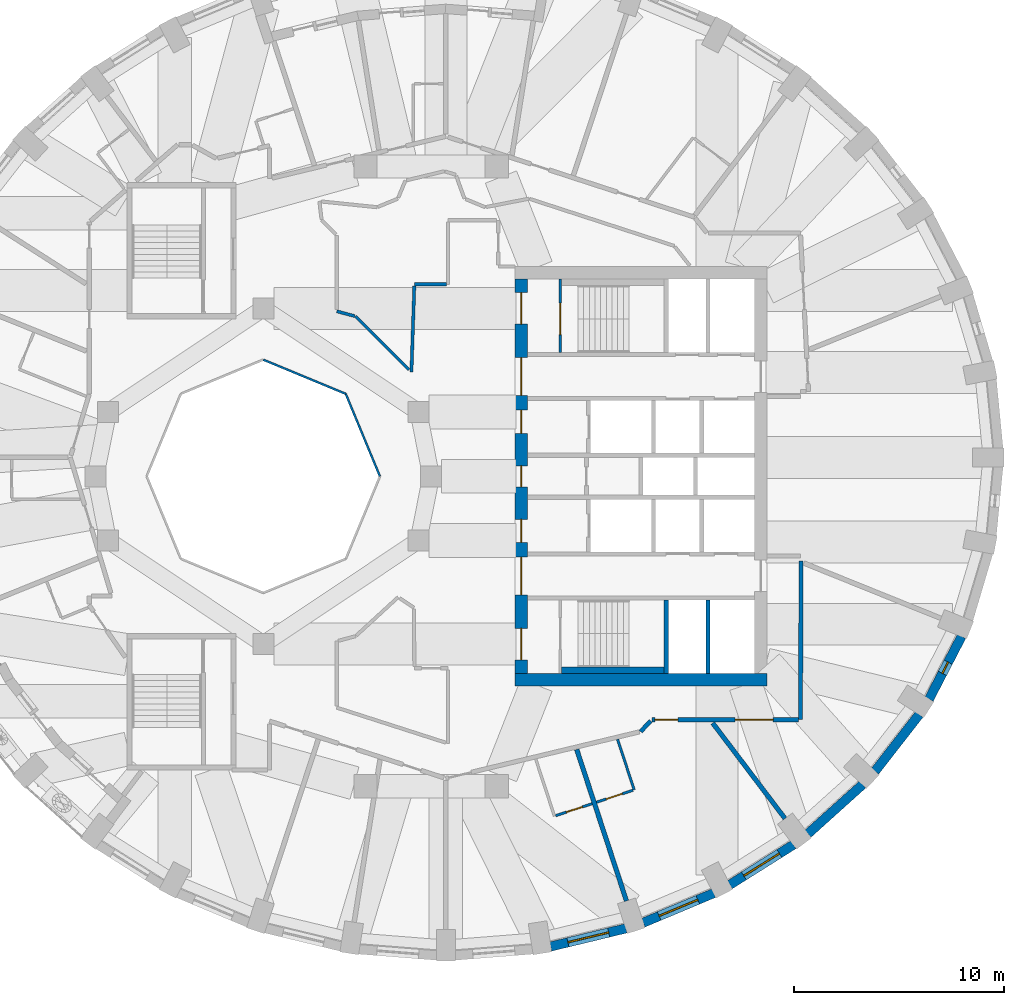
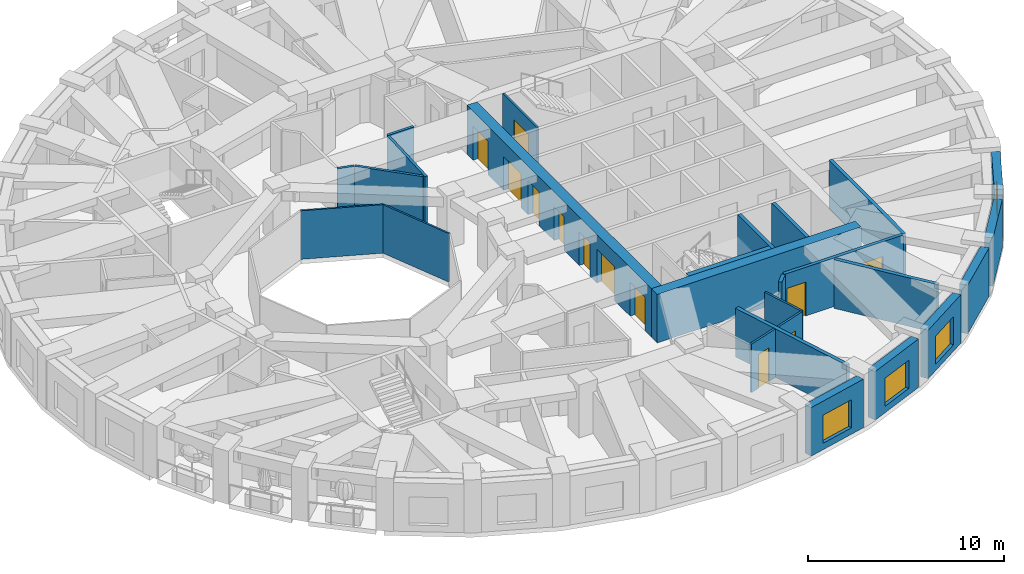
# One storey, part 5 of 12: 26 walls, 12 doors, 4 windows, 16 openings.
"""IFC4 building model written with IfcOpenShell, lengths in metres."""

from ifc_helpers import new_model, si_unit, direction, frame, frame_2d, origin, place, context, subcontext, project, spatial, rectangle, extrude, material, layer, layer_set, type_object, element, fill, save


model = new_model("IFC4")

# Units and contexts
model_context = context("Model", 3, precision=1e-05, world=origin(), true_north=direction((0.0, 1.0)))
body_context = subcontext(model_context, "Body", "Model", "MODEL_VIEW")
ifc_project = project(units=[si_unit("LENGTHUNIT", "METRE"), si_unit("AREAUNIT", "SQUARE_METRE"), si_unit("VOLUMEUNIT", "CUBIC_METRE"), si_unit("PLANEANGLEUNIT", "RADIAN"), si_unit("MASSUNIT", "GRAM", prefix="KILO")], contexts=[model_context])

# Site, building, storey
site_placement = place(None, origin())
site = spatial("IfcSite", under=ifc_project, at=site_placement, CompositionType="ELEMENT")
building_placement = place(site_placement, origin())
building = spatial("IfcBuilding", under=site, at=building_placement, Name="Taillehof Tower", CompositionType="ELEMENT")
storey_placement = place(building_placement, frame((0.0, 0.0, 218.89990234375)))
storey = spatial("IfcBuildingStorey", under=building, at=storey_placement, Name="L62", CompositionType="ELEMENT", Elevation=218.89990234375)

# Walls
ifc_material_1 = material(Name="Fire-resisting glass in steel frame", Category="steel")
ifc_layer_1 = layer(ifc_material_1, 0.10009765625)
ifc_layer_set_1 = layer_set([ifc_layer_1], Name="Atrium fire-resisting screen EI 60 100")
wall_type_1 = type_object("IfcWallType", Name="Atrium fire-resisting screen EI 60 100", PredefinedType="PARTITIONING", material=ifc_layer_set_1)
for number, where, z_axis, x_axis, name in (
    (1, (-8.0, 5.55419921875, 0.0), (0.0, 0.0, 1.0), (0.923860025149, -0.382730523909, 0.0), "Atrium screen"),
    (2, (-4.07275390625, 3.92724609375, 0.0), (0.0, 0.0, 1.0), (0.382730523909, -0.923860025149, 0.0), "Atrium screen"),
):
    element("IfcWall", number, at=place(storey_placement, frame(where, z_axis=z_axis, x_axis=x_axis)), inside=storey, type_object=wall_type_1, Name=name, PredefinedType="PARTITIONING", context=body_context, shape_type="SweptSolid", body=[
        extrude(rectangle(XDim=4.2509765625, YDim=0.10009765625, at=frame_2d((2.12548828125, 0.0))), origin(), (0.0, 0.0, 1.0), 3.02001953125),
    ])

# Wall, opening, window
ifc_material_2 = material(Name="Brick masonry", Category="masonry")
ifc_layer_2 = layer(ifc_material_2, 0.449951171875)
ifc_layer_set_2 = layer_set([ifc_layer_2], Name="Brick infill wall 450")
wall_type_2 = type_object("IfcWallType", Name="Brick infill wall 450", PredefinedType="SOLIDWALL", material=ifc_layer_set_2)
wall_1_placement = place(storey_placement, frame((5.690673828125, -22.41357421875, 0.0), z_axis=(0.0, 0.0, 1.0), x_axis=(0.9721584944, 0.234324266275, 0.0)))
wall_1 = element("IfcWall", 3, at=wall_1_placement, inside=storey, type_object=wall_type_2, Name="Brick wall L62 bay 29", PredefinedType="SOLIDWALL", context=body_context, shape_type="SweptSolid", body=[
    extrude(rectangle(XDim=3.69775390625, YDim=0.449951171875, at=frame_2d((1.848876953125, 0.0))), origin(), (0.0, 0.0, 1.0), 3.02001953125),
])
opening_1_placement = place(wall_1_placement, frame((0.848876953125, 0.0, 0.39990234375)))
opening_1 = element("IfcOpeningElement", 4, at=opening_1_placement, cuts=wall_1, Name="Opening W2", PredefinedType="OPENING", context=body_context, shape_type="SweptSolid", body=[
    extrude(rectangle(XDim=2.0, YDim=1.75, at=frame_2d((1.0, 0.875))), frame((0.0, 0.23486328125, 0.0), z_axis=(0.0, -1.0, 0.0), x_axis=(1.0, 0.0, 0.0)), (0.0, 0.0, 1.0), 0.469970703125),
])
ifc_material_3 = material(Name="Aluminium window frame with clear double glazing", Category="aluminium")
window_type_1 = type_object("IfcWindowType", Name="Deep-set window 2000x1750", PartitioningType="SINGLE_PANEL", PredefinedType="WINDOW", material=ifc_material_3)
window_1_placement = place(opening_1_placement, origin())
window_1 = element("IfcWindow", 5, at=window_1_placement, inside=storey, type_object=window_type_1, Name="W2", OverallHeight=1.75, OverallWidth=2.0, PartitioningType="SINGLE_PANEL", PredefinedType="WINDOW", context=body_context, shape_type="SweptSolid", body=[
    extrude(rectangle(XDim=2.0, YDim=1.75, at=frame_2d((1.0, 0.875))), frame((0.0, 0.034912109375, 0.0), z_axis=(0.0, -1.0, 0.0), x_axis=(1.0, 0.0, 0.0)), (0.0, 0.0, 1.0), 0.06005859375),
])
fill(opening_1, window_1)

wall_2_placement = place(storey_placement, frame((10.1025390625, -21.279052734375, 0.0), z_axis=(0.0, 0.0, 1.0), x_axis=(0.922168222612, 0.386789050006, 0.0)))
wall_2 = element("IfcWall", 6, at=wall_2_placement, inside=storey, type_object=wall_type_2, Name="Brick wall L62 bay 30", PredefinedType="SOLIDWALL", context=body_context, shape_type="SweptSolid", body=[
    extrude(rectangle(XDim=3.65087890625, YDim=0.449951171875, at=frame_2d((1.825439453125, 0.0))), origin(), (0.0, 0.0, 1.0), 3.02001953125),
])
opening_2_placement = place(wall_2_placement, frame((0.825439453125, 0.0, 0.39990234375)))
opening_2 = element("IfcOpeningElement", 7, at=opening_2_placement, cuts=wall_2, Name="Opening W2", PredefinedType="OPENING", context=body_context, shape_type="SweptSolid", body=[
    extrude(rectangle(XDim=2.0, YDim=1.75, at=frame_2d((1.0, 0.875))), frame((0.0, 0.23486328125, 0.0), z_axis=(0.0, -1.0, 0.0), x_axis=(1.0, 0.0, 0.0)), (0.0, 0.0, 1.0), 0.469970703125),
])
window_2_placement = place(opening_2_placement, origin())
window_2 = element("IfcWindow", 8, at=window_2_placement, inside=storey, type_object=window_type_1, Name="W2", OverallHeight=1.75, OverallWidth=2.0, PartitioningType="SINGLE_PANEL", PredefinedType="WINDOW", context=body_context, shape_type="SweptSolid", body=[
    extrude(rectangle(XDim=2.0, YDim=1.75, at=frame_2d((1.0, 0.875))), frame((0.0, 0.034912109375, 0.0), z_axis=(0.0, -1.0, 0.0), x_axis=(1.0, 0.0, 0.0)), (0.0, 0.0, 1.0), 0.06005859375),
])
fill(opening_2, window_2)

wall_3_placement = place(storey_placement, frame((14.232421875, -19.469970703125, 0.0), z_axis=(0.0, 0.0, 1.0), x_axis=(0.84614984472, 0.532945063098, 0.0)))
wall_3 = element("IfcWall", 9, at=wall_3_placement, inside=storey, type_object=wall_type_2, Name="Brick wall L62 bay 31", PredefinedType="SOLIDWALL", context=body_context, shape_type="SweptSolid", body=[
    extrude(rectangle(XDim=3.58642578125, YDim=0.449951171875, at=frame_2d((1.793212890625, 0.0))), origin(), (0.0, 0.0, 1.0), 3.02001953125),
])
opening_3_placement = place(wall_3_placement, frame((0.79345703125, 0.0, 0.39990234375)))
opening_3 = element("IfcOpeningElement", 10, at=opening_3_placement, cuts=wall_3, Name="Opening W2", PredefinedType="OPENING", context=body_context, shape_type="SweptSolid", body=[
    extrude(rectangle(XDim=2.0, YDim=1.75, at=frame_2d((1.0, 0.875))), frame((0.0, 0.23486328125, 0.0), z_axis=(0.0, -1.0, 0.0), x_axis=(1.0, 0.0, 0.0)), (0.0, 0.0, 1.0), 0.469970703125),
])
window_3_placement = place(opening_3_placement, origin())
window_3 = element("IfcWindow", 11, at=window_3_placement, inside=storey, type_object=window_type_1, Name="W2", OverallHeight=1.75, OverallWidth=2.0, PartitioningType="SINGLE_PANEL", PredefinedType="WINDOW", context=body_context, shape_type="SweptSolid", body=[
    extrude(rectangle(XDim=2.0, YDim=1.75, at=frame_2d((1.0, 0.875))), frame((0.0, 0.034912109375, 0.0), z_axis=(0.0, -1.0, 0.0), x_axis=(1.0, 0.0, 0.0)), (0.0, 0.0, 1.0), 0.06005859375),
])
fill(opening_3, window_3)

# Walls
wall_4_placement = place(storey_placement, frame((17.953369140625, -17.039794921875, 0.0), z_axis=(0.0, 0.0, 1.0), x_axis=(0.743442727602, 0.668799604348, 0.0)))
element("IfcWall", 12, at=wall_4_placement, inside=storey, type_object=wall_type_2, Name="Brick wall L62 bay 32", PredefinedType="SOLIDWALL", context=body_context, shape_type="SweptSolid", body=[
    extrude(rectangle(XDim=3.5126953125, YDim=0.449951171875, at=frame_2d((1.75634765625, 0.0))), origin(), (0.0, 0.0, 1.0), 3.02001953125),
])
wall_5_placement = place(storey_placement, frame((21.1513671875, -14.06103515625, 0.0), z_axis=(0.0, 0.0, 1.0), x_axis=(0.614255239631, 0.789107407509, 0.0)))
element("IfcWall", 13, at=wall_5_placement, inside=storey, type_object=wall_type_2, Name="Brick wall L62 bay 33", PredefinedType="SOLIDWALL", context=body_context, shape_type="SweptSolid", body=[
    extrude(rectangle(XDim=3.4375, YDim=0.449951171875, at=frame_2d((1.71875, 0.0))), origin(), (0.0, 0.0, 1.0), 3.02001953125),
])

# Wall, opening, window
wall_6_placement = place(storey_placement, frame((23.72705078125, -10.6240234375, 0.0), z_axis=(0.0, 0.0, 1.0), x_axis=(0.460175500475, 0.887827972505, 0.0)))
wall_6 = element("IfcWall", 14, at=wall_6_placement, inside=storey, type_object=wall_type_2, Name="Brick wall L62 bay 34", PredefinedType="SOLIDWALL", context=body_context, shape_type="SweptSolid", body=[
    extrude(rectangle(XDim=3.37060546875, YDim=0.449951171875, at=frame_2d((1.685302734375, 0.0))), origin(), (0.0, 0.0, 1.0), 3.02001953125),
])
opening_4_placement = place(wall_6_placement, frame((1.38525390625, 0.0, 0.39990234375)))
opening_4 = element("IfcOpeningElement", 15, at=opening_4_placement, cuts=wall_6, Name="Opening W6", PredefinedType="OPENING", context=body_context, shape_type="SweptSolid", body=[
    extrude(rectangle(XDim=0.60009765625, YDim=1.75, at=frame_2d((0.300048828125, 0.875))), frame((0.0, 0.23486328125, 0.0), z_axis=(0.0, -1.0, 0.0), x_axis=(1.0, 0.0, 0.0)), (0.0, 0.0, 1.0), 0.469970703125),
])
ifc_material_4 = material(Name="Aluminium window frame with clear double glazing", Category="aluminium")
window_type_2 = type_object("IfcWindowType", Name="Slot window 600x1750", PartitioningType="SINGLE_PANEL", PredefinedType="WINDOW", material=ifc_material_4)
window_4_placement = place(opening_4_placement, origin())
window_4 = element("IfcWindow", 16, at=window_4_placement, inside=storey, type_object=window_type_2, Name="W6", OverallHeight=1.75, OverallWidth=0.60009765625, PartitioningType="SINGLE_PANEL", PredefinedType="WINDOW", context=body_context, shape_type="SweptSolid", body=[
    extrude(rectangle(XDim=0.60009765625, YDim=1.75, at=frame_2d((0.300048828125, 0.875))), frame((0.0, 0.034912109375, 0.0), z_axis=(0.0, -1.0, 0.0), x_axis=(1.0, 0.0, 0.0)), (0.0, 0.0, 1.0), 0.06005859375),
])
fill(opening_4, window_4)

# Wall
ifc_material_5 = material(Name="Gypsum board on steel studs, two layers each side", Category="steel")
ifc_layer_3 = layer(ifc_material_5, 0.199951171875)
ifc_layer_set_3 = layer_set([ifc_layer_3], Name="Compartment wall corridor 200")
wall_type_3 = type_object("IfcWallType", Name="Compartment wall corridor 200", PredefinedType="PARTITIONING", material=ifc_layer_set_3)
wall_7_placement = place(storey_placement, frame((17.629638671875, -4.042724609375, 0.0), z_axis=(0.0, 0.0, 1.0), x_axis=(-0.003908870153, -0.999992360338, 0.0)))
element("IfcWall", 17, at=wall_7_placement, inside=storey, type_object=wall_type_3, Name="Compartment wall", PredefinedType="PARTITIONING", context=body_context, shape_type="SweptSolid", body=[
    extrude(rectangle(XDim=7.557373046875, YDim=0.199951171875, at=frame_2d((3.77880859375, 0.0))), origin(), (0.0, 0.0, 1.0), 3.02001953125),
])

# Wall, openings, doors
wall_8_placement = place(storey_placement, frame((17.5, -11.60009765625, 0.0), z_axis=(0.0, 0.0, 1.0), x_axis=(-1.0, 0.0, 0.0)))
wall_8 = element("IfcWall", 18, at=wall_8_placement, inside=storey, type_object=wall_type_3, Name="Compartment wall", PredefinedType="PARTITIONING", context=body_context, shape_type="SweptSolid", body=[
    extrude(rectangle(XDim=6.9833984375, YDim=0.199951171875, at=frame_2d((3.49169921875, 0.0))), origin(), (0.0, 0.0, 1.0), 3.02001953125),
])
opening_5_placement = place(wall_8_placement, frame((5.743408203125, 0.0, 0.0)))
opening_5 = element("IfcOpeningElement", 19, at=opening_5_placement, cuts=wall_8, Name="Opening D6263", PredefinedType="OPENING", context=body_context, shape_type="SweptSolid", body=[
    extrude(rectangle(XDim=1.10009765625, YDim=2.10009765625, at=frame_2d((0.550048828125, 1.050048828125))), frame((0.0, 0.10986328125, 0.0), z_axis=(0.0, -1.0, 0.0), x_axis=(1.0, 0.0, 0.0)), (0.0, 0.0, 1.0), 0.219970703125),
])
opening_6_placement = place(wall_8_placement, frame((1.20849609375, 0.0, 0.0)))
opening_6 = element("IfcOpeningElement", 20, at=opening_6_placement, cuts=wall_8, Name="Opening D6265", PredefinedType="OPENING", context=body_context, shape_type="SweptSolid", body=[
    extrude(rectangle(XDim=1.800048828125, YDim=2.10009765625, at=frame_2d((0.89990234375, 1.050048828125))), frame((0.0, 0.10986328125, 0.0), z_axis=(0.0, -1.0, 0.0), x_axis=(1.0, 0.0, 0.0)), (0.0, 0.0, 1.0), 0.219970703125),
])
ifc_material_6 = material(Name="Timber door leaf in steel frame", Category="steel")
door_type_1 = type_object("IfcDoorType", Name="Lounge and meeting room double door EI 30 1800 x 2100", OperationType="SINGLE_SWING_LEFT", PredefinedType="DOOR", material=ifc_material_6)
door_1_placement = place(opening_6_placement, origin())
door_1 = element("IfcDoor", 21, at=door_1_placement, inside=storey, type_object=door_type_1, Name="D6265", OperationType="DOUBLE_DOOR_SINGLE_SWING", OverallHeight=2.10009765625, OverallWidth=1.800048828125, PredefinedType="DOOR", context=body_context, shape_type="SweptSolid", body=[
    extrude(rectangle(XDim=1.800048828125, YDim=2.10009765625, at=frame_2d((0.89990234375, 1.050048828125))), frame((0.0, 0.02490234375, 0.0), z_axis=(0.0, -1.0, 0.0), x_axis=(1.0, 0.0, 0.0)), (0.0, 0.0, 1.0), 0.050048828125),
])
fill(opening_6, door_1)
ifc_material_7 = material(Name="Timber door leaf in steel frame", Category="steel")
door_type_2 = type_object("IfcDoorType", Name="Suite entrance door EI 30 1100 x 2100", OperationType="SINGLE_SWING_LEFT", PredefinedType="DOOR", material=ifc_material_7)
door_2_placement = place(opening_5_placement, origin())
door_2 = element("IfcDoor", 22, at=door_2_placement, inside=storey, type_object=door_type_2, Name="D6263", OperationType="SINGLE_SWING_RIGHT", OverallHeight=2.10009765625, OverallWidth=1.10009765625, PredefinedType="DOOR", context=body_context, shape_type="SweptSolid", body=[
    extrude(rectangle(XDim=1.10009765625, YDim=2.10009765625, at=frame_2d((0.550048828125, 1.050048828125))), frame((0.0, 0.02490234375, 0.0), z_axis=(0.0, -1.0, 0.0), x_axis=(1.0, 0.0, 0.0)), (0.0, 0.0, 1.0), 0.050048828125),
])
fill(opening_5, door_2)

# Walls
wall_9_placement = place(storey_placement, frame((10.4619140625, -11.65869140625, 0.0), z_axis=(0.0, 0.0, 1.0), x_axis=(-0.686265612426, -0.727351021998, 0.0)))
element("IfcWall", 23, at=wall_9_placement, inside=storey, type_object=wall_type_3, Name="Compartment wall", PredefinedType="PARTITIONING", context=body_context, shape_type="SweptSolid", body=[
    extrude(rectangle(XDim=0.701171875, YDim=0.199951171875, at=frame_2d((0.3505859375, 0.0))), origin(), (0.0, 0.0, 1.0), 3.02001953125),
])
ifc_material_8 = material(Name="Gypsum board on double steel studs with mineral wool", Category="steel")
ifc_layer_4 = layer(ifc_material_8, 0.219970703125)
ifc_layer_set_4 = layer_set([ifc_layer_4], Name="Compartment wall guest room 220")
wall_type_4 = type_object("IfcWallType", Name="Compartment wall guest room 220", PredefinedType="PARTITIONING", material=ifc_layer_set_4)
wall_10_placement = place(storey_placement, frame((9.30712890625, -20.2353515625, 0.0), z_axis=(0.0, 0.0, 1.0), x_axis=(-0.311979110549, 0.950088961404, 0.0)))
element("IfcWall", 24, at=wall_10_placement, inside=storey, type_object=wall_type_4, Name="Compartment wall", PredefinedType="PARTITIONING", context=body_context, shape_type="SweptSolid", body=[
    extrude(rectangle(XDim=7.5908203125, YDim=0.219970703125, at=frame_2d((3.79541015625, 0.0))), origin(), (0.0, 0.0, 1.0), 3.02001953125),
])
wall_11_placement = place(storey_placement, frame((16.86328125, -16.3125, 0.0), z_axis=(0.0, 0.0, 1.0), x_axis=(-0.603636051313, 0.797260006243, 0.0)))
element("IfcWall", 25, at=wall_11_placement, inside=storey, type_object=wall_type_4, Name="Compartment wall", PredefinedType="PARTITIONING", context=body_context, shape_type="SweptSolid", body=[
    extrude(rectangle(XDim=5.70556640625, YDim=0.219970703125, at=frame_2d((2.852783203125, 0.0))), origin(), (0.0, 0.0, 1.0), 3.02001953125),
])
ifc_material_9 = material(Name="Calcium silicate masonry", Category="masonry")
ifc_layer_5 = layer(ifc_material_9, 0.300048828125)
ifc_layer_set_5 = layer_set([ifc_layer_5], Name="Compartment wall lining calcium silicate 300")
wall_type_5 = type_object("IfcWallType", Name="Compartment wall lining calcium silicate 300", PredefinedType="PARTITIONING", material=ifc_layer_set_5)
wall_12_placement = place(storey_placement, frame((6.219970703125, -9.25, 0.0), z_axis=(0.0, 0.0, 1.0), x_axis=(1.0, 0.0, 0.0)))
element("IfcWall", 26, at=wall_12_placement, inside=storey, type_object=wall_type_5, Name="Compartment wall FW", PredefinedType="PARTITIONING", context=body_context, shape_type="SweptSolid", body=[
    extrude(rectangle(XDim=4.880126953125, YDim=0.300048828125, at=frame_2d((2.43994140625, 0.0))), origin(), (0.0, 0.0, 1.0), 3.02001953125),
])
ifc_material_10 = material(Name="Gypsum board on steel studs, two layers each side", Category="steel")
ifc_layer_6 = layer(ifc_material_10, 0.14990234375)
ifc_layer_set_6 = layer_set([ifc_layer_6], Name="Compartment wall service room 150")
wall_type_6 = type_object("IfcWallType", Name="Compartment wall service room 150", PredefinedType="PARTITIONING", material=ifc_layer_set_6)
wall_13_placement = place(storey_placement, frame((0.719970703125, 9.14990234375, 0.0), z_axis=(0.0, 0.0, 1.0), x_axis=(-1.0, 0.0, 0.0)))
element("IfcWall", 27, at=wall_13_placement, inside=storey, type_object=wall_type_6, Name="Compartment wall", PredefinedType="PARTITIONING", context=body_context, shape_type="SweptSolid", body=[
    extrude(rectangle(XDim=1.52001953125, YDim=0.14990234375, at=frame_2d((0.760009765625, 0.0))), origin(), (0.0, 0.0, 1.0), 3.02001953125),
])
wall_14_placement = place(storey_placement, frame((-0.802978515625, 9.06982421875, 0.0), z_axis=(0.0, 0.0, 1.0), x_axis=(-0.033496761224, -0.999438826036, 0.0)))
element("IfcWall", 28, at=wall_14_placement, inside=storey, type_object=wall_type_6, Name="Compartment wall", PredefinedType="PARTITIONING", context=body_context, shape_type="SweptSolid", body=[
    extrude(rectangle(XDim=4.110595703125, YDim=0.14990234375, at=frame_2d((2.05517578125, 0.0))), origin(), (0.0, 0.0, 1.0), 3.02001953125),
])
wall_15_placement = place(storey_placement, frame((-1.053955078125, 5.07470703125, 0.0), z_axis=(0.0, 0.0, 1.0), x_axis=(-0.707106781187, 0.707106781187, 0.0)))
element("IfcWall", 29, at=wall_15_placement, inside=storey, type_object=wall_type_6, Name="Compartment wall", PredefinedType="PARTITIONING", context=body_context, shape_type="SweptSolid", body=[
    extrude(rectangle(XDim=3.600830078125, YDim=0.14990234375, at=frame_2d((1.80029296875, 0.0))), origin(), (0.0, 0.0, 1.0), 3.02001953125),
])
wall_16_placement = place(storey_placement, frame((-3.638671875, 7.631103515625, 0.0), z_axis=(0.0, 0.0, 1.0), x_axis=(-0.965879594242, 0.258991523853, 0.0)))
element("IfcWall", 30, at=wall_16_placement, inside=storey, type_object=wall_type_6, Name="Compartment wall", PredefinedType="PARTITIONING", context=body_context, shape_type="SweptSolid", body=[
    extrude(rectangle(XDim=0.891845703125, YDim=0.14990234375, at=frame_2d((0.44580078125, 0.0))), origin(), (0.0, 0.0, 1.0), 3.02001953125),
])

# Wall, openings, doors
ifc_material_11 = material(Name="Concrete C80/95", Category="concrete")
ifc_layer_7 = layer(ifc_material_11, 0.60009765625)
ifc_layer_set_7 = layer_set([ifc_layer_7], Name="Core wall C80/95 600")
wall_type_7 = type_object("IfcWallType", Name="Core wall C80/95 600", PredefinedType="SHEAR", material=ifc_layer_set_7)
wall_17_placement = place(storey_placement, frame((4.300048828125, -9.39990234375, 0.0), z_axis=(0.0, 0.0, 1.0), x_axis=(0.0, 1.0, 0.0)))
wall_17 = element("IfcWall", 31, at=wall_17_placement, inside=storey, type_object=wall_type_7, Name="Core wall CW01", PredefinedType="SHEAR", context=body_context, shape_type="SweptSolid", body=[
    extrude(rectangle(XDim=18.7998046875, YDim=0.60009765625, at=frame_2d((9.39990234375, 0.0))), origin(), (0.0, 0.0, 1.0), 3.02001953125),
])
opening_7_placement = place(wall_17_placement, frame((0.64990234375, 0.0, 0.0)))
opening_7 = element("IfcOpeningElement", 32, at=opening_7_placement, cuts=wall_17, Name="Opening D6201", PredefinedType="OPENING", context=body_context, shape_type="SweptSolid", body=[
    extrude(rectangle(XDim=1.5, YDim=2.10009765625, at=frame_2d((0.75, 1.050048828125))), frame((0.0, 0.31005859375, 0.0), z_axis=(0.0, -1.0, 0.0), x_axis=(1.0, 0.0, 0.0)), (0.0, 0.0, 1.0), 0.6201171875),
])
opening_8_placement = place(wall_17_placement, frame((3.75, 0.0, 0.0)))
opening_8 = element("IfcOpeningElement", 33, at=opening_8_placement, cuts=wall_17, Name="Opening D6202", PredefinedType="OPENING", context=body_context, shape_type="SweptSolid", body=[
    extrude(rectangle(XDim=1.800048828125, YDim=2.10009765625, at=frame_2d((0.89990234375, 1.050048828125))), frame((0.0, 0.31005859375, 0.0), z_axis=(0.0, -1.0, 0.0), x_axis=(1.0, 0.0, 0.0)), (0.0, 0.0, 1.0), 0.6201171875),
])
opening_9_placement = place(wall_17_placement, frame((6.25, 0.0, 0.0)))
opening_9 = element("IfcOpeningElement", 34, at=opening_9_placement, cuts=wall_17, Name="Opening D6203", PredefinedType="OPENING", context=body_context, shape_type="SweptSolid", body=[
    extrude(rectangle(XDim=1.10009765625, YDim=2.10009765625, at=frame_2d((0.550048828125, 1.050048828125))), frame((0.0, 0.31005859375, 0.0), z_axis=(0.0, -1.0, 0.0), x_axis=(1.0, 0.0, 0.0)), (0.0, 0.0, 1.0), 0.6201171875),
])
opening_10_placement = place(wall_17_placement, frame((8.89990234375, 0.0, 0.0)))
opening_10 = element("IfcOpeningElement", 35, at=opening_10_placement, cuts=wall_17, Name="Opening D6204", PredefinedType="OPENING", context=body_context, shape_type="SweptSolid", body=[
    extrude(rectangle(XDim=1.0, YDim=2.10009765625, at=frame_2d((0.5, 1.050048828125))), frame((0.0, 0.31005859375, 0.0), z_axis=(0.0, -1.0, 0.0), x_axis=(1.0, 0.0, 0.0)), (0.0, 0.0, 1.0), 0.6201171875),
])
opening_11_placement = place(wall_17_placement, frame((11.449951171875, 0.0, 0.0)))
opening_11 = element("IfcOpeningElement", 36, at=opening_11_placement, cuts=wall_17, Name="Opening D6205", PredefinedType="OPENING", context=body_context, shape_type="SweptSolid", body=[
    extrude(rectangle(XDim=1.10009765625, YDim=2.10009765625, at=frame_2d((0.550048828125, 1.050048828125))), frame((0.0, 0.31005859375, 0.0), z_axis=(0.0, -1.0, 0.0), x_axis=(1.0, 0.0, 0.0)), (0.0, 0.0, 1.0), 0.6201171875),
])
opening_12_placement = place(wall_17_placement, frame((13.25, 0.0, 0.0)))
opening_12 = element("IfcOpeningElement", 37, at=opening_12_placement, cuts=wall_17, Name="Opening D6206", PredefinedType="OPENING", context=body_context, shape_type="SweptSolid", body=[
    extrude(rectangle(XDim=1.800048828125, YDim=2.10009765625, at=frame_2d((0.89990234375, 1.050048828125))), frame((0.0, 0.31005859375, 0.0), z_axis=(0.0, -1.0, 0.0), x_axis=(1.0, 0.0, 0.0)), (0.0, 0.0, 1.0), 0.6201171875),
])
opening_13_placement = place(wall_17_placement, frame((16.64990234375, 0.0, 0.0)))
opening_13 = element("IfcOpeningElement", 38, at=opening_13_placement, cuts=wall_17, Name="Opening D6207", PredefinedType="OPENING", context=body_context, shape_type="SweptSolid", body=[
    extrude(rectangle(XDim=1.5, YDim=2.10009765625, at=frame_2d((0.75, 1.050048828125))), frame((0.0, 0.31005859375, 0.0), z_axis=(0.0, -1.0, 0.0), x_axis=(1.0, 0.0, 0.0)), (0.0, 0.0, 1.0), 0.6201171875),
])
ifc_material_12 = material(Name="Steel-faced fire door", Category="steel")
door_type_3 = type_object("IfcDoorType", Name="Firefighting lobby door 1100x2100", OperationType="SINGLE_SWING_RIGHT", PredefinedType="DOOR", material=ifc_material_12)
door_3_placement = place(opening_9_placement, origin())
door_3 = element("IfcDoor", 39, at=door_3_placement, inside=storey, type_object=door_type_3, Name="Firefighting lobby door FFL-S", OperationType="SINGLE_SWING_RIGHT", OverallHeight=2.10009765625, OverallWidth=1.10009765625, PredefinedType="DOOR", context=body_context, shape_type="SweptSolid", body=[
    extrude(rectangle(XDim=1.10009765625, YDim=2.10009765625, at=frame_2d((0.550048828125, 1.050048828125))), frame((0.0, 0.02490234375, 0.0), z_axis=(0.0, -1.0, 0.0), x_axis=(1.0, 0.0, 0.0)), (0.0, 0.0, 1.0), 0.050048828125),
])
fill(opening_9, door_3)
door_4_placement = place(opening_11_placement, origin())
door_4 = element("IfcDoor", 40, at=door_4_placement, inside=storey, type_object=door_type_3, Name="Firefighting lobby door FFL-N", OperationType="SINGLE_SWING_LEFT", OverallHeight=2.10009765625, OverallWidth=1.10009765625, PredefinedType="DOOR", context=body_context, shape_type="SweptSolid", body=[
    extrude(rectangle(XDim=1.10009765625, YDim=2.10009765625, at=frame_2d((0.550048828125, 1.050048828125))), frame((0.0, 0.02490234375, 0.0), z_axis=(0.0, -1.0, 0.0), x_axis=(1.0, 0.0, 0.0)), (0.0, 0.0, 1.0), 0.050048828125),
])
fill(opening_11, door_4)
ifc_material_13 = material(Name="Steel-faced fire door", Category="steel")
door_type_4 = type_object("IfcDoorType", Name="Lift lobby door 1800x2100", OperationType="DOUBLE_DOOR_SINGLE_SWING", PredefinedType="DOOR", material=ifc_material_13)
door_5_placement = place(opening_8_placement, origin())
door_5 = element("IfcDoor", 41, at=door_5_placement, inside=storey, type_object=door_type_4, Name="Lift lobby door LL-S", OperationType="DOUBLE_DOOR_SINGLE_SWING", OverallHeight=2.10009765625, OverallWidth=1.800048828125, PredefinedType="DOOR", context=body_context, shape_type="SweptSolid", body=[
    extrude(rectangle(XDim=1.800048828125, YDim=2.10009765625, at=frame_2d((0.89990234375, 1.050048828125))), frame((0.0, 0.02490234375, 0.0), z_axis=(0.0, -1.0, 0.0), x_axis=(1.0, 0.0, 0.0)), (0.0, 0.0, 1.0), 0.050048828125),
])
fill(opening_8, door_5)
door_6_placement = place(opening_12_placement, origin())
door_6 = element("IfcDoor", 42, at=door_6_placement, inside=storey, type_object=door_type_4, Name="Lift lobby door LL-N", OperationType="DOUBLE_DOOR_SINGLE_SWING", OverallHeight=2.10009765625, OverallWidth=1.800048828125, PredefinedType="DOOR", context=body_context, shape_type="SweptSolid", body=[
    extrude(rectangle(XDim=1.800048828125, YDim=2.10009765625, at=frame_2d((0.89990234375, 1.050048828125))), frame((0.0, 0.02490234375, 0.0), z_axis=(0.0, -1.0, 0.0), x_axis=(1.0, 0.0, 0.0)), (0.0, 0.0, 1.0), 0.050048828125),
])
fill(opening_12, door_6)
ifc_material_14 = material(Name="Steel-faced fire door", Category="steel")
door_type_5 = type_object("IfcDoorType", Name="Service door 1000x2100", OperationType="SINGLE_SWING_RIGHT", PredefinedType="DOOR", material=ifc_material_14)
door_7_placement = place(opening_10_placement, origin())
door_7 = element("IfcDoor", 43, at=door_7_placement, inside=storey, type_object=door_type_5, Name="Service door SV", OperationType="SINGLE_SWING_RIGHT", OverallHeight=2.10009765625, OverallWidth=1.0, PredefinedType="DOOR", context=body_context, shape_type="SweptSolid", body=[
    extrude(rectangle(XDim=1.0, YDim=2.10009765625, at=frame_2d((0.5, 1.050048828125))), frame((0.0, 0.02490234375, 0.0), z_axis=(0.0, -1.0, 0.0), x_axis=(1.0, 0.0, 0.0)), (0.0, 0.0, 1.0), 0.050048828125),
])
fill(opening_10, door_7)
ifc_material_15 = material(Name="Steel-faced fire door", Category="steel")
door_type_6 = type_object("IfcDoorType", Name="Stair door 1500x2100", OperationType="DOUBLE_DOOR_SINGLE_SWING", PredefinedType="DOOR", material=ifc_material_15)
door_8_placement = place(opening_7_placement, origin())
door_8 = element("IfcDoor", 44, at=door_8_placement, inside=storey, type_object=door_type_6, Name="Stair door S2", OperationType="DOUBLE_DOOR_SINGLE_SWING", OverallHeight=2.10009765625, OverallWidth=1.5, PredefinedType="DOOR", context=body_context, shape_type="SweptSolid", body=[
    extrude(rectangle(XDim=1.5, YDim=2.10009765625, at=frame_2d((0.75, 1.050048828125))), frame((0.0, 0.02490234375, 0.0), z_axis=(0.0, -1.0, 0.0), x_axis=(1.0, 0.0, 0.0)), (0.0, 0.0, 1.0), 0.050048828125),
])
fill(opening_7, door_8)
door_9_placement = place(opening_13_placement, origin())
door_9 = element("IfcDoor", 45, at=door_9_placement, inside=storey, type_object=door_type_6, Name="Stair door S1", OperationType="DOUBLE_DOOR_SINGLE_SWING", OverallHeight=2.10009765625, OverallWidth=1.5, PredefinedType="DOOR", context=body_context, shape_type="SweptSolid", body=[
    extrude(rectangle(XDim=1.5, YDim=2.10009765625, at=frame_2d((0.75, 1.050048828125))), frame((0.0, 0.02490234375, 0.0), z_axis=(0.0, -1.0, 0.0), x_axis=(1.0, 0.0, 0.0)), (0.0, 0.0, 1.0), 0.050048828125),
])
fill(opening_13, door_9)

# Walls
wall_18_placement = place(storey_placement, frame((4.0, -9.699951171875, 0.0), z_axis=(0.0, 0.0, 1.0), x_axis=(1.0, 0.0, 0.0)))
element("IfcWall", 46, at=wall_18_placement, inside=storey, type_object=wall_type_7, Name="Core wall CW07", PredefinedType="SHEAR", context=body_context, shape_type="SweptSolid", body=[
    extrude(rectangle(XDim=12.0, YDim=0.60009765625, at=frame_2d((6.0, 0.0))), origin(), (0.0, 0.0, 1.0), 3.02001953125),
])
ifc_material_16 = material(Name="Gypsum board on steel studs, moisture resistant", Category="steel")
ifc_layer_8 = layer(ifc_material_16, 0.1201171875)
ifc_layer_set_8 = layer_set([ifc_layer_8], Name="En-suite wall 120")
wall_type_8 = type_object("IfcWallType", Name="En-suite wall 120", PredefinedType="PARTITIONING", material=ifc_layer_set_8)
wall_19_placement = place(storey_placement, frame((8.883544921875, -12.535400390625, 0.0), z_axis=(0.0, 0.0, 1.0), x_axis=(0.312037873477, -0.950069663507, 0.0)))
element("IfcWall", 47, at=wall_19_placement, inside=storey, type_object=wall_type_8, Name="En-suite wall", PredefinedType="PARTITIONING", context=body_context, shape_type="SweptSolid", body=[
    extrude(rectangle(XDim=2.53662109375, YDim=0.1201171875, at=frame_2d((1.268310546875, 0.0))), origin(), (0.0, 0.0, 1.0), 3.02001953125),
])

# Wall, opening, door
wall_20_placement = place(storey_placement, frame((5.931884765625, -16.17431640625, 0.0), z_axis=(0.0, 0.0, 1.0), x_axis=(0.950140787885, 0.311821235962, 0.0)))
wall_20 = element("IfcWall", 48, at=wall_20_placement, inside=storey, type_object=wall_type_8, Name="En-suite wall", PredefinedType="PARTITIONING", context=body_context, shape_type="SweptSolid", body=[
    extrude(rectangle(XDim=1.829833984375, YDim=0.1201171875, at=frame_2d((0.9150390625, 0.0))), origin(), (0.0, 0.0, 1.0), 3.02001953125),
])
opening_14_placement = place(wall_20_placement, frame((0.539794921875, 0.0, 0.0)))
opening_14 = element("IfcOpeningElement", 49, at=opening_14_placement, cuts=wall_20, Name="Opening D6262", PredefinedType="OPENING", context=body_context, shape_type="SweptSolid", body=[
    extrude(rectangle(XDim=0.800048828125, YDim=2.10009765625, at=frame_2d((0.39990234375, 1.050048828125))), frame((0.0, 0.070068359375, 0.0), z_axis=(0.0, -1.0, 0.0), x_axis=(1.0, 0.0, 0.0)), (0.0, 0.0, 1.0), 0.14013671875),
])
ifc_material_17 = material(Name="Timber door leaf in steel frame", Category="steel")
door_type_7 = type_object("IfcDoorType", Name="En-suite door 800 x 2100", OperationType="SINGLE_SWING_LEFT", PredefinedType="DOOR", material=ifc_material_17)
door_10_placement = place(opening_14_placement, origin())
door_10 = element("IfcDoor", 50, at=door_10_placement, inside=storey, type_object=door_type_7, Name="D6262", OperationType="SINGLE_SWING_RIGHT", OverallHeight=2.10009765625, OverallWidth=0.800048828125, PredefinedType="DOOR", context=body_context, shape_type="SweptSolid", body=[
    extrude(rectangle(XDim=0.800048828125, YDim=2.10009765625, at=frame_2d((0.39990234375, 1.050048828125))), frame((0.0, 0.02490234375, 0.0), z_axis=(0.0, -1.0, 0.0), x_axis=(1.0, 0.0, 0.0)), (0.0, 0.0, 1.0), 0.050048828125),
])
fill(opening_14, door_10)

wall_21_placement = place(storey_placement, frame((9.617919921875, -14.96435546875, 0.0), z_axis=(0.0, 0.0, 1.0), x_axis=(-0.950140787885, -0.311821235962, 0.0)))
wall_21 = element("IfcWall", 51, at=wall_21_placement, inside=storey, type_object=wall_type_8, Name="En-suite wall", PredefinedType="PARTITIONING", context=body_context, shape_type="SweptSolid", body=[
    extrude(rectangle(XDim=1.829833984375, YDim=0.1201171875, at=frame_2d((0.9150390625, 0.0))), origin(), (0.0, 0.0, 1.0), 3.02001953125),
])
opening_15_placement = place(wall_21_placement, frame((0.539794921875, 0.0, 0.0)))
opening_15 = element("IfcOpeningElement", 52, at=opening_15_placement, cuts=wall_21, Name="Opening D6264", PredefinedType="OPENING", context=body_context, shape_type="SweptSolid", body=[
    extrude(rectangle(XDim=0.800048828125, YDim=2.10009765625, at=frame_2d((0.39990234375, 1.050048828125))), frame((0.0, 0.070068359375, 0.0), z_axis=(0.0, -1.0, 0.0), x_axis=(1.0, 0.0, 0.0)), (0.0, 0.0, 1.0), 0.14013671875),
])
door_11_placement = place(opening_15_placement, origin())
door_11 = element("IfcDoor", 53, at=door_11_placement, inside=storey, type_object=door_type_7, Name="D6264", OperationType="SINGLE_SWING_LEFT", OverallHeight=2.10009765625, OverallWidth=0.800048828125, PredefinedType="DOOR", context=body_context, shape_type="SweptSolid", body=[
    extrude(rectangle(XDim=0.800048828125, YDim=2.10009765625, at=frame_2d((0.39990234375, 1.050048828125))), frame((0.0, 0.02490234375, 0.0), z_axis=(0.0, -1.0, 0.0), x_axis=(1.0, 0.0, 0.0)), (0.0, 0.0, 1.0), 0.050048828125),
])
fill(opening_15, door_11)

# Walls
ifc_material_18 = material(Name="Concrete C50/60", Category="concrete")
ifc_layer_9 = layer(ifc_material_18, 0.199951171875)
ifc_layer_set_9 = layer_set([ifc_layer_9], Name="Shaft wall C50/60 200")
wall_type_9 = type_object("IfcWallType", Name="Shaft wall C50/60 200", PredefinedType="SHEAR", material=ifc_layer_set_9)
for number, where, z_axis, x_axis, name in (
    (54, (11.199951171875, -9.39990234375, 0.0), (0.0, 0.0, 1.0), (0.0, 1.0, 0.0), "Shaft wall SW"),
    (55, (13.199951171875, -9.39990234375, 0.0), (0.0, 0.0, 1.0), (0.0, 1.0, 0.0), "Shaft wall SW"),
):
    element("IfcWall", number, at=place(storey_placement, frame(where, z_axis=z_axis, x_axis=x_axis)), inside=storey, type_object=wall_type_9, Name=name, PredefinedType="SHEAR", context=body_context, shape_type="SweptSolid", body=[
        extrude(rectangle(XDim=3.5, YDim=0.199951171875, at=frame_2d((1.75, 0.0))), origin(), (0.0, 0.0, 1.0), 3.02001953125),
    ])

# Wall, opening, door
ifc_material_19 = material(Name="Concrete C50/60", Category="concrete")
ifc_layer_10 = layer(ifc_material_19, 0.1201171875)
ifc_layer_set_10 = layer_set([ifc_layer_10], Name="Stair lobby wall C50/60 120")
wall_type_10 = type_object("IfcWallType", Name="Stair lobby wall C50/60 120", PredefinedType="SHEAR", material=ifc_layer_set_10)
wall_22_placement = place(storey_placement, frame((6.159912109375, 5.89990234375, 0.0), z_axis=(0.0, 0.0, 1.0), x_axis=(0.0, 1.0, 0.0)))
wall_22 = element("IfcWall", 56, at=wall_22_placement, inside=storey, type_object=wall_type_10, Name="Compartment wall SW", PredefinedType="SHEAR", context=body_context, shape_type="SweptSolid", body=[
    extrude(rectangle(XDim=3.5, YDim=0.1201171875, at=frame_2d((1.75, 0.0))), origin(), (0.0, 0.0, 1.0), 3.02001953125),
])
opening_16_placement = place(wall_22_placement, frame((0.85009765625, 0.0, 0.0)))
opening_16 = element("IfcOpeningElement", 57, at=opening_16_placement, cuts=wall_22, Name="Opening D6210", PredefinedType="OPENING", context=body_context, shape_type="SweptSolid", body=[
    extrude(rectangle(XDim=1.5, YDim=2.10009765625, at=frame_2d((0.75, 1.050048828125))), frame((0.0, 0.070068359375, 0.0), z_axis=(0.0, -1.0, 0.0), x_axis=(1.0, 0.0, 0.0)), (0.0, 0.0, 1.0), 0.14013671875),
])
door_12_placement = place(opening_16_placement, origin())
door_12 = element("IfcDoor", 58, at=door_12_placement, inside=storey, type_object=door_type_6, Name="Stair lobby door S1", OperationType="DOUBLE_DOOR_SINGLE_SWING", OverallHeight=2.10009765625, OverallWidth=1.5, PredefinedType="DOOR", context=body_context, shape_type="SweptSolid", body=[
    extrude(rectangle(XDim=1.5, YDim=2.10009765625, at=frame_2d((0.75, 1.050048828125))), frame((0.0, 0.02490234375, 0.0), z_axis=(0.0, -1.0, 0.0), x_axis=(1.0, 0.0, 0.0)), (0.0, 0.0, 1.0), 0.050048828125),
])
fill(opening_16, door_12)

save(model, "model.ifc")
